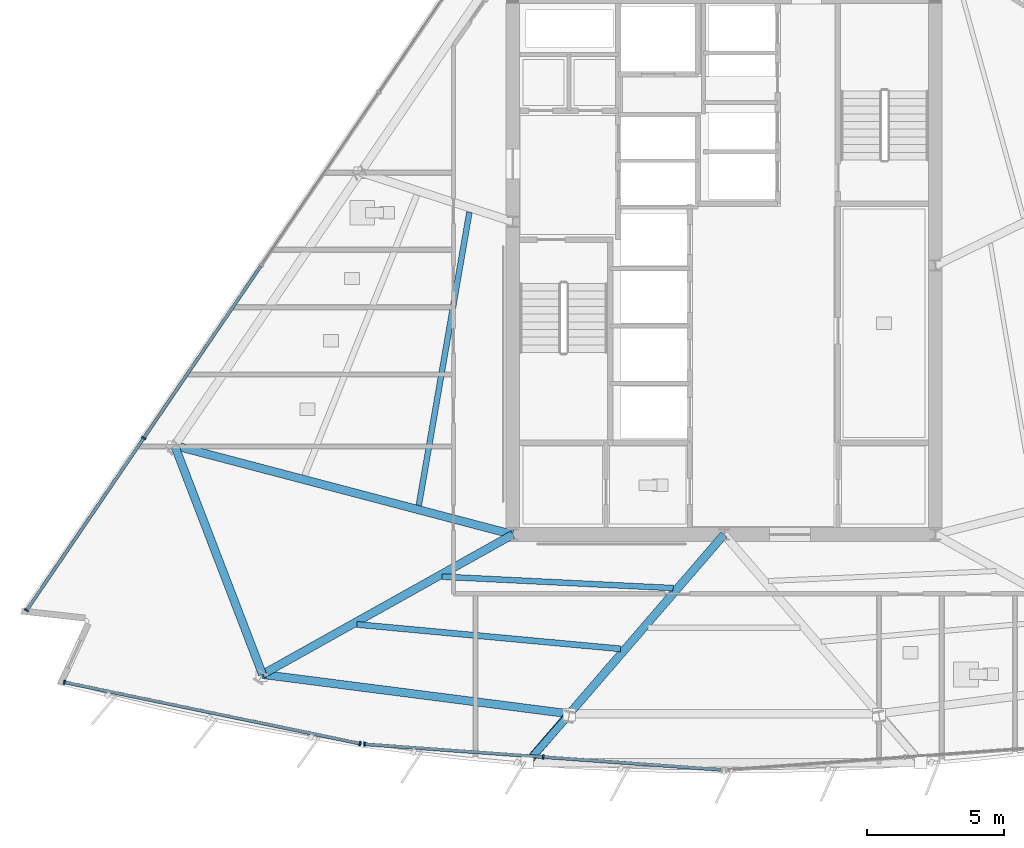
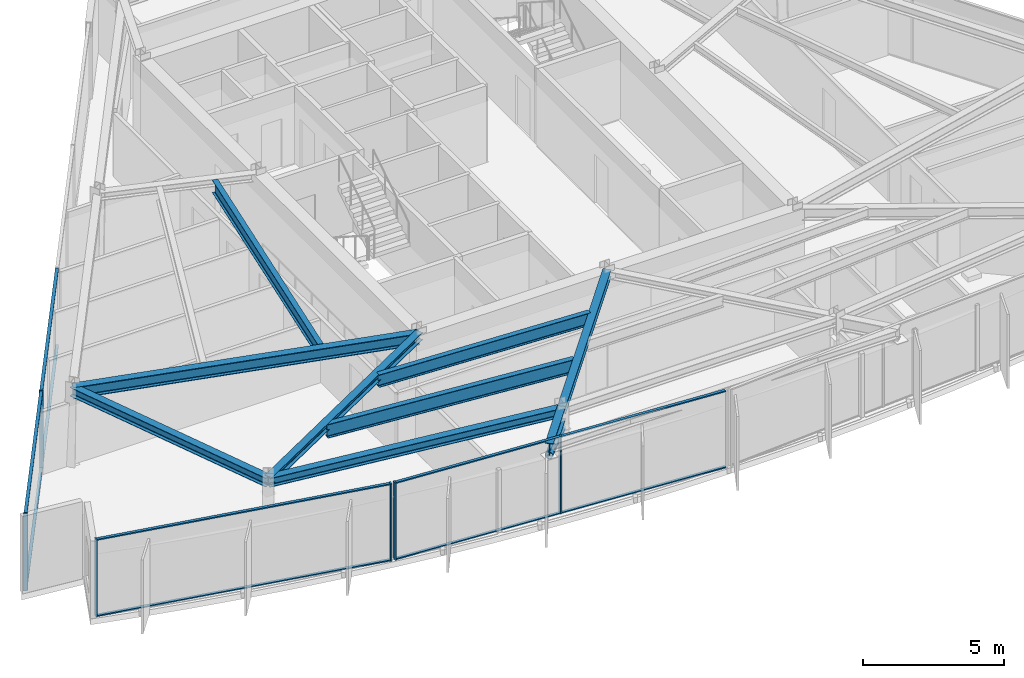
# One storey, part 2 of 15: 17 members, 9 beams, 3 elements without a shape of their own.
"""IFC4 building model written with IfcOpenShell, lengths in metres."""

from ifc_helpers import new_model, si_unit, direction, frame, origin, origin_2d, place, context, subcontext, project, spatial, rectangle, hollow_circle, i_section, extrude, material, material_profile, profile_set, type_object, element, aggregate, save


model = new_model("IFC4")

# Units and contexts
model_context = context("Model", 3, precision=1e-05, world=origin(), true_north=direction((0.0, 1.0)))
body_context = subcontext(model_context, "Body", "Model", "MODEL_VIEW")
ifc_project = project(units=[si_unit("LENGTHUNIT", "METRE"), si_unit("AREAUNIT", "SQUARE_METRE"), si_unit("VOLUMEUNIT", "CUBIC_METRE"), si_unit("PLANEANGLEUNIT", "RADIAN"), si_unit("MASSUNIT", "GRAM", prefix="KILO")], contexts=[model_context])

# Site, building, storey
site_placement = place(None, origin())
site = spatial("IfcSite", under=ifc_project, at=site_placement, CompositionType="ELEMENT")
building_placement = place(site_placement, origin())
building = spatial("IfcBuilding", under=site, at=building_placement, Name="Savorim Split Tower", CompositionType="ELEMENT")
storey_placement = place(building_placement, frame((0.0, 0.0, 201.89990234375)))
storey = spatial("IfcBuildingStorey", under=building, at=storey_placement, Name="L53", CompositionType="ELEMENT", Elevation=201.89990234375)

# Beams
ifc_material_1 = material(Name="Steel S355", Category="steel")
ifc_material_profile_1 = material_profile(ifc_material_1, i_section(OverallWidth=0.2099609375, OverallDepth=0.550048828125, WebThickness=0.010986328125, FlangeThickness=0.01708984375, FilletRadius=0.02392578125, at=origin_2d()), Name="IPE 550")
ifc_profile_set_1 = profile_set([ifc_material_profile_1], Name="Steel S355")
beam_type_1 = type_object("IfcBeamType", Name="BM-JST-IPE550", PredefinedType="JOIST", material=ifc_profile_set_1)
beam_1_placement = place(storey_placement, frame((-10.2763671875, -10.937744140625, 3.0751953125), z_axis=(0.998788876602, -0.049201422493, 0.0), x_axis=(0.049201422493, 0.998788876602, 0.0)))
element("IfcBeam", 1, at=beam_1_placement, inside=storey, type_object=beam_type_1, Name="L53 Secondary Floor Joist JS-02", PredefinedType="JOIST", context=body_context, shape_type="SweptSolid", body=[
    extrude(i_section(OverallWidth=0.2099609375, OverallDepth=0.550048828125, WebThickness=0.010986328125, FlangeThickness=0.01708984375, FilletRadius=0.02392578125, at=origin_2d()), origin(), (0.0, 0.0, 1.0), 8.435546875),
])
beam_2_placement = place(storey_placement, frame((-9.2802734375, 2.346923828125, 3.0751953125), z_axis=(-0.170010249727, -0.985442294093, 0.0), x_axis=(0.985442294093, -0.170010249727, 0.0)))
element("IfcBeam", 2, at=beam_2_placement, inside=storey, type_object=beam_type_1, Name="L53 Secondary Floor Joist JS-11", PredefinedType="JOIST", context=body_context, shape_type="SweptSolid", body=[
    extrude(i_section(OverallWidth=0.2099609375, OverallDepth=0.550048828125, WebThickness=0.010986328125, FlangeThickness=0.01708984375, FilletRadius=0.02392578125, at=origin_2d()), origin(), (0.0, 0.0, 1.0), 10.839111328125),
])
ifc_material_profile_2 = material_profile(ifc_material_1, i_section(OverallWidth=0.219970703125, OverallDepth=0.60009765625, WebThickness=0.011962890625, FlangeThickness=0.01904296875, FilletRadius=0.02392578125, at=origin_2d()), Name="IPE 600")
ifc_profile_set_2 = profile_set([ifc_material_profile_2], Name="Steel S355")
beam_type_2 = type_object("IfcBeamType", Name="BM-JST-IPE600", PredefinedType="JOIST", material=ifc_profile_set_2)
beam_3_placement = place(storey_placement, frame((-13.377685546875, -12.67822265625, 3.050048828125), z_axis=(0.995742781007, -0.092175452661, 0.0), x_axis=(0.092175452661, 0.995742781007, 0.0)))
element("IfcBeam", 3, at=beam_3_placement, inside=storey, type_object=beam_type_2, Name="L53 Secondary Floor Joist JS-01", PredefinedType="JOIST", context=body_context, shape_type="SweptSolid", body=[
    extrude(i_section(OverallWidth=0.219970703125, OverallDepth=0.60009765625, WebThickness=0.011962890625, FlangeThickness=0.01904296875, FilletRadius=0.02392578125, at=origin_2d()), origin(), (0.0, 0.0, 1.0), 9.651611328125),
])
ifc_material_profile_3 = material_profile(ifc_material_1, i_section(OverallWidth=0.300048828125, OverallDepth=0.320068359375, WebThickness=0.011474609375, FlangeThickness=0.0205078125, FilletRadius=0.027099609375, at=origin_2d()), Name="HEB 320")
ifc_profile_set_3 = profile_set([ifc_material_profile_3], Name="Steel S355")
beam_type_3 = type_object("IfcBeamType", Name="BM-PRI-HEB320", PredefinedType="BEAM", material=ifc_profile_set_3)
beam_4_placement = place(storey_placement, frame((-16.8203125, -14.49951171875, 3.190185546875), z_axis=(0.872823769161, 0.488035519186, 0.0), x_axis=(-0.488035519186, 0.872823769161, 0.0)))
element("IfcBeam", 4, at=beam_4_placement, inside=storey, type_object=beam_type_3, Name="L53 Primary Floor Girder RG-01", PredefinedType="BEAM", context=body_context, shape_type="SweptSolid", body=[
    extrude(i_section(OverallWidth=0.300048828125, OverallDepth=0.320068359375, WebThickness=0.011474609375, FlangeThickness=0.0205078125, FilletRadius=0.027099609375, at=origin_2d()), origin(), (0.0, 0.0, 1.0), 10.44921875),
])
beam_5_placement = place(storey_placement, frame((-5.63720703125, -15.935302734375, 3.190185546875), z_axis=(0.653155031073, 0.757224210775, 0.0), x_axis=(-0.757224210775, 0.653155031073, 0.0)))
element("IfcBeam", 5, at=beam_5_placement, inside=storey, type_object=beam_type_3, Name="L53 Primary Floor Girder RG-02", PredefinedType="BEAM", context=body_context, shape_type="SweptSolid", body=[
    extrude(i_section(OverallWidth=0.300048828125, OverallDepth=0.320068359375, WebThickness=0.011474609375, FlangeThickness=0.0205078125, FilletRadius=0.027099609375, at=origin_2d()), origin(), (0.0, 0.0, 1.0), 8.630615234375),
])
ifc_material_profile_4 = material_profile(ifc_material_1, i_section(OverallWidth=0.300048828125, OverallDepth=0.5, WebThickness=0.014404296875, FlangeThickness=0.028076171875, FilletRadius=0.027099609375, at=origin_2d()), Name="HEB 500")
ifc_profile_set_4 = profile_set([ifc_material_profile_4], Name="Steel S355")
beam_type_4 = type_object("IfcBeamType", Name="BM-PRI-HEB500", PredefinedType="BEAM", material=ifc_profile_set_4)
beam_6_placement = place(storey_placement, frame((-20.022705078125, -6.157958984375, 3.10009765625), z_axis=(0.967091660118, -0.254428223535, 0.0), x_axis=(0.254428223535, 0.967091660118, 0.0)))
element("IfcBeam", 6, at=beam_6_placement, inside=storey, type_object=beam_type_4, Name="L53 Primary Floor Girder RG-10", PredefinedType="BEAM", context=body_context, shape_type="SweptSolid", body=[
    extrude(i_section(OverallWidth=0.300048828125, OverallDepth=0.5, WebThickness=0.014404296875, FlangeThickness=0.028076171875, FilletRadius=0.027099609375, at=origin_2d()), origin(), (0.0, 0.0, 1.0), 12.7421875),
])
ifc_material_profile_5 = material_profile(ifc_material_1, i_section(OverallWidth=0.300048828125, OverallDepth=0.550048828125, WebThickness=0.014892578125, FlangeThickness=0.029052734375, FilletRadius=0.027099609375, at=origin_2d()), Name="HEB 550")
ifc_profile_set_5 = profile_set([ifc_material_profile_5], Name="Steel S355")
beam_type_5 = type_object("IfcBeamType", Name="BM-PRI-HEB550", PredefinedType="BEAM", material=ifc_profile_set_5)
beam_7_placement = place(storey_placement, frame((-5.63720703125, -15.935302734375, 3.0751953125), z_axis=(-0.653251941195, -0.757140608688, 0.0), x_axis=(0.757140608688, -0.653251941195, 0.0)))
element("IfcBeam", 7, at=beam_7_placement, inside=storey, type_object=beam_type_5, Name="L53 Cantilevered Lounge Rib 1", PredefinedType="BEAM", context=body_context, shape_type="SweptSolid", body=[
    extrude(i_section(OverallWidth=0.300048828125, OverallDepth=0.550048828125, WebThickness=0.014892578125, FlangeThickness=0.029052734375, FilletRadius=0.027099609375, at=origin_2d()), origin(), (0.0, 0.0, 1.0), 2.35009765625),
])
ifc_material_profile_6 = material_profile(ifc_material_1, i_section(OverallWidth=0.300048828125, OverallDepth=0.389892578125, WebThickness=0.010986328125, FlangeThickness=0.01904296875, FilletRadius=0.027099609375, at=origin_2d()), Name="HEA 400")
ifc_profile_set_6 = profile_set([ifc_material_profile_6], Name="Steel S355")
beam_type_6 = type_object("IfcBeamType", Name="BM-SPN-HEA400", PredefinedType="SPANDREL", material=ifc_profile_set_6)
beam_8_placement = place(storey_placement, frame((-16.8203125, -14.49951171875, 3.155029296875), z_axis=(0.991858608334, -0.127344026451, 0.0), x_axis=(0.127344026451, 0.991858608334, 0.0)))
element("IfcBeam", 8, at=beam_8_placement, inside=storey, type_object=beam_type_6, Name="L53 Perimeter Spandrel Beam 1", PredefinedType="SPANDREL", context=body_context, shape_type="SweptSolid", body=[
    extrude(i_section(OverallWidth=0.300048828125, OverallDepth=0.389892578125, WebThickness=0.010986328125, FlangeThickness=0.01904296875, FilletRadius=0.027099609375, at=origin_2d()), origin(), (0.0, 0.0, 1.0), 11.27490234375),
])
beam_9_placement = place(storey_placement, frame((-20.022705078125, -6.157958984375, 3.155029296875), z_axis=(0.358404088173, -0.933566553375, 0.0), x_axis=(0.933566553375, 0.358404088173, 0.0)))
element("IfcBeam", 9, at=beam_9_placement, inside=storey, type_object=beam_type_6, Name="L53 Perimeter Spandrel Beam 10", PredefinedType="SPANDREL", context=body_context, shape_type="SweptSolid", body=[
    extrude(i_section(OverallWidth=0.300048828125, OverallDepth=0.389892578125, WebThickness=0.010986328125, FlangeThickness=0.01904296875, FilletRadius=0.027099609375, at=origin_2d()), origin(), (0.0, 0.0, 1.0), 8.93505859375),
])

# Curtain wall, members
ifc_material_2 = material(Name="Dark Ceramic-Fritted Insulated Glass", Category="glass")
curtain_wall_type = type_object("IfcCurtainWallType", Name="CW-TWR-FRIT-B", PredefinedType="NOTDEFINED", material=ifc_material_2)
curtain_wall_1_placement = place(storey_placement, origin())
curtain_wall_1 = element("IfcCurtainWall", 10, at=curtain_wall_1_placement, inside=storey, type_object=curtain_wall_type, Name="L53 Curtain Wall CW-L53-SF1", PredefinedType="NOTDEFINED")
ifc_material_3 = material(Name="Charcoal Anodised Aluminium", Category="aluminium")
ifc_material_profile_7 = material_profile(ifc_material_3, rectangle(XDim=0.159912109375, YDim=0.06005859375, at=origin_2d()), Name="ALU-M 160x60")
ifc_profile_set_7 = profile_set([ifc_material_profile_7], Name="Charcoal Anodised Aluminium")
member_type_1 = type_object("IfcMemberType", Name="CWM-160x60", PredefinedType="MULLION", material=ifc_profile_set_7)
member_1_placement = place(storey_placement, frame((-24.041259765625, -14.782958984375, 0.0), z_axis=(0.0, 0.0, 1.0), x_axis=(0.203207957161, 0.979135601511, 0.0)))
member_1 = element("IfcMember", 11, at=member_1_placement, type_object=member_type_1, Name="CW-03 mullion 1", PredefinedType="MULLION", context=body_context, shape_type="SweptSolid", body=[
    extrude(rectangle(XDim=0.159912109375, YDim=0.06005859375, at=origin_2d()), origin(), (0.0, 0.0, 1.0), 3.35009765625),
])
member_2_placement = place(storey_placement, frame((-13.264404296875, -17.01953125, 0.0), z_axis=(0.0, 0.0, 1.0), x_axis=(0.203207957161, 0.979135601511, 0.0)))
member_2 = element("IfcMember", 12, at=member_2_placement, type_object=member_type_1, Name="CW-03 mullion 2", PredefinedType="MULLION", context=body_context, shape_type="SweptSolid", body=[
    extrude(rectangle(XDim=0.159912109375, YDim=0.06005859375, at=origin_2d()), origin(), (0.0, 0.0, 1.0), 3.35009765625),
])

curtain_wall_2_placement = place(storey_placement, origin())
curtain_wall_2 = element("IfcCurtainWall", 13, at=curtain_wall_2_placement, inside=storey, type_object=curtain_wall_type, Name="L53 Curtain Wall CW-L53-SF2", PredefinedType="NOTDEFINED")
member_3_placement = place(storey_placement, frame((-13.102294921875, -17.0419921875, 0.0), z_axis=(0.0, 0.0, 1.0), x_axis=(0.071561883187, 0.997436161804, 0.0)))
member_3 = element("IfcMember", 14, at=member_3_placement, type_object=member_type_1, Name="CW-03 mullion 1", PredefinedType="MULLION", context=body_context, shape_type="SweptSolid", body=[
    extrude(rectangle(XDim=0.159912109375, YDim=0.06005859375, at=origin_2d()), origin(), (0.0, 0.0, 1.0), 3.35009765625),
])
member_4_placement = place(storey_placement, frame((-6.591796875, -17.509033203125, 0.0), z_axis=(0.0, 0.0, 1.0), x_axis=(0.071561883187, 0.997436161804, 0.0)))
member_4 = element("IfcMember", 15, at=member_4_placement, type_object=member_type_1, Name="CW-03 mullion 2", PredefinedType="MULLION", context=body_context, shape_type="SweptSolid", body=[
    extrude(rectangle(XDim=0.159912109375, YDim=0.06005859375, at=origin_2d()), origin(), (0.0, 0.0, 1.0), 3.35009765625),
])

curtain_wall_3_placement = place(storey_placement, origin())
curtain_wall_3 = element("IfcCurtainWall", 16, at=curtain_wall_3_placement, inside=storey, type_object=curtain_wall_type, Name="L53 Curtain Wall CW-L53-WEST", PredefinedType="NOTDEFINED")
member_5_placement = place(storey_placement, frame((-21.147705078125, -5.884033203125, 0.0), z_axis=(0.0, 0.0, 1.0), x_axis=(0.826820907104, -0.562465276773, 0.0)))
member_5 = element("IfcMember", 17, at=member_5_placement, type_object=member_type_1, Name="CW-03 mullion 4", PredefinedType="MULLION", context=body_context, shape_type="SweptSolid", body=[
    extrude(rectangle(XDim=0.159912109375, YDim=0.06005859375, at=origin_2d()), origin(), (0.0, 0.0, 1.0), 3.35009765625),
])
member_6_placement = place(storey_placement, frame((-25.4189453125, -12.16259765625, 0.0), z_axis=(0.0, 0.0, 1.0), x_axis=(0.826820907104, -0.562465276773, 0.0)))
member_6 = element("IfcMember", 18, at=member_6_placement, type_object=member_type_1, Name="CW-03 mullion 5", PredefinedType="MULLION", context=body_context, shape_type="SweptSolid", body=[
    extrude(rectangle(XDim=0.159912109375, YDim=0.06005859375, at=origin_2d()), origin(), (0.0, 0.0, 1.0), 3.35009765625),
])

# Member
ifc_material_profile_8 = material_profile(ifc_material_3, rectangle(XDim=0.1201171875, YDim=0.050048828125, at=origin_2d()), Name="ALU-T 120x50")
ifc_profile_set_8 = profile_set([ifc_material_profile_8], Name="Charcoal Anodised Aluminium")
member_type_2 = type_object("IfcMemberType", Name="CWT-120x50", PredefinedType="USERDEFINED", material=ifc_profile_set_8)
member_7_placement = place(storey_placement, frame((-24.011962890625, -14.7890625, 0.025146484375), z_axis=(0.979137102834, -0.203200723063, 0.0), x_axis=(0.203200723063, 0.979137102834, 0.0)))
member_7 = element("IfcMember", 19, at=member_7_placement, type_object=member_type_2, Name="CW-03 transom 1.1", ObjectType="TRANSOM", PredefinedType="USERDEFINED", context=body_context, shape_type="SweptSolid", body=[
    extrude(rectangle(XDim=0.1201171875, YDim=0.050048828125, at=origin_2d()), origin(), (0.0, 0.0, 1.0), 10.946533203125),
])

member_8_placement = place(storey_placement, frame((-24.011962890625, -14.7890625, 3.3251953125), z_axis=(0.979137102834, -0.203200723063, 0.0), x_axis=(0.203200723063, 0.979137102834, 0.0)))
member_8 = element("IfcMember", 20, at=member_8_placement, type_object=member_type_2, Name="CW-03 transom 1.2", ObjectType="TRANSOM", PredefinedType="USERDEFINED", context=body_context, shape_type="SweptSolid", body=[
    extrude(rectangle(XDim=0.1201171875, YDim=0.050048828125, at=origin_2d()), origin(), (0.0, 0.0, 1.0), 10.946533203125),
])

aggregate(curtain_wall_1, [member_1, member_2, member_7, member_8])

member_9_placement = place(storey_placement, frame((-13.072265625, -17.044189453125, 0.025146484375), z_axis=(0.997435267849, -0.071574342133, 0.0), x_axis=(0.071574342133, 0.997435267849, 0.0)))
member_9 = element("IfcMember", 21, at=member_9_placement, type_object=member_type_2, Name="CW-03 transom 1.1", ObjectType="TRANSOM", PredefinedType="USERDEFINED", context=body_context, shape_type="SweptSolid", body=[
    extrude(rectangle(XDim=0.1201171875, YDim=0.050048828125, at=origin_2d()), origin(), (0.0, 0.0, 1.0), 6.46728515625),
])

member_10_placement = place(storey_placement, frame((-13.072265625, -17.044189453125, 3.3251953125), z_axis=(0.997435267849, -0.071574342133, 0.0), x_axis=(0.071574342133, 0.997435267849, 0.0)))
member_10 = element("IfcMember", 22, at=member_10_placement, type_object=member_type_2, Name="CW-03 transom 1.2", ObjectType="TRANSOM", PredefinedType="USERDEFINED", context=body_context, shape_type="SweptSolid", body=[
    extrude(rectangle(XDim=0.1201171875, YDim=0.050048828125, at=origin_2d()), origin(), (0.0, 0.0, 1.0), 6.46728515625),
])

member_11_placement = place(storey_placement, frame((-6.561767578125, -17.51123046875, 0.025146484375), z_axis=(0.997435267849, -0.071574342133, 0.0), x_axis=(0.071574342133, 0.997435267849, 0.0)))
member_11 = element("IfcMember", 23, at=member_11_placement, type_object=member_type_2, Name="CW-03 transom 2.1", ObjectType="TRANSOM", PredefinedType="USERDEFINED", context=body_context, shape_type="SweptSolid", body=[
    extrude(rectangle(XDim=0.1201171875, YDim=0.050048828125, at=origin_2d()), origin(), (0.0, 0.0, 1.0), 6.46728515625),
])

member_12_placement = place(storey_placement, frame((-6.561767578125, -17.51123046875, 3.3251953125), z_axis=(0.997435267849, -0.071574342133, 0.0), x_axis=(0.071574342133, 0.997435267849, 0.0)))
member_12 = element("IfcMember", 24, at=member_12_placement, type_object=member_type_2, Name="CW-03 transom 2.2", ObjectType="TRANSOM", PredefinedType="USERDEFINED", context=body_context, shape_type="SweptSolid", body=[
    extrude(rectangle(XDim=0.1201171875, YDim=0.050048828125, at=origin_2d()), origin(), (0.0, 0.0, 1.0), 6.46728515625),
])

aggregate(curtain_wall_2, [member_3, member_4, member_9, member_10, member_11, member_12])

member_13_placement = place(storey_placement, frame((-16.876708984375, 0.39453125, 0.025146484375), z_axis=(-0.562460105571, -0.826824424918, 0.0), x_axis=(0.826824424918, -0.562460105571, 0.0)))
member_13 = element("IfcMember", 25, at=member_13_placement, type_object=member_type_2, Name="CW-03 transom 3.1", ObjectType="TRANSOM", PredefinedType="USERDEFINED", context=body_context, shape_type="SweptSolid", body=[
    extrude(rectangle(XDim=0.1201171875, YDim=0.050048828125, at=origin_2d()), origin(), (0.0, 0.0, 1.0), 7.5634765625),
])

member_14_placement = place(storey_placement, frame((-16.876708984375, 0.39453125, 3.3251953125), z_axis=(-0.562460105571, -0.826824424918, 0.0), x_axis=(0.826824424918, -0.562460105571, 0.0)))
member_14 = element("IfcMember", 26, at=member_14_placement, type_object=member_type_2, Name="CW-03 transom 3.2", ObjectType="TRANSOM", PredefinedType="USERDEFINED", context=body_context, shape_type="SweptSolid", body=[
    extrude(rectangle(XDim=0.1201171875, YDim=0.050048828125, at=origin_2d()), origin(), (0.0, 0.0, 1.0), 7.5634765625),
])

member_15_placement = place(storey_placement, frame((-21.16455078125, -5.90869140625, 0.025146484375), z_axis=(-0.562453610104, -0.826828843523, 0.0), x_axis=(0.826828843523, -0.562453610104, 0.0)))
member_15 = element("IfcMember", 27, at=member_15_placement, type_object=member_type_2, Name="CW-03 transom 4.1", ObjectType="TRANSOM", PredefinedType="USERDEFINED", context=body_context, shape_type="SweptSolid", body=[
    extrude(rectangle(XDim=0.1201171875, YDim=0.050048828125, at=origin_2d()), origin(), (0.0, 0.0, 1.0), 7.53369140625),
])

member_16_placement = place(storey_placement, frame((-21.16455078125, -5.90869140625, 3.3251953125), z_axis=(-0.562453610104, -0.826828843523, 0.0), x_axis=(0.826828843523, -0.562453610104, 0.0)))
member_16 = element("IfcMember", 28, at=member_16_placement, type_object=member_type_2, Name="CW-03 transom 4.2", ObjectType="TRANSOM", PredefinedType="USERDEFINED", context=body_context, shape_type="SweptSolid", body=[
    extrude(rectangle(XDim=0.1201171875, YDim=0.050048828125, at=origin_2d()), origin(), (0.0, 0.0, 1.0), 7.53369140625),
])

aggregate(curtain_wall_3, [member_5, member_6, member_13, member_14, member_15, member_16])

ifc_material_profile_9 = material_profile(ifc_material_1, hollow_circle(Radius=0.136474609375, WallThickness=0.01611328125, at=origin_2d()), Name="CHS 273x16")
ifc_profile_set_9 = profile_set([ifc_material_profile_9], Name="Steel S355")
member_type_3 = type_object("IfcMemberType", Name="MBR-CRN-CHS273", PredefinedType="BRACE", material=ifc_profile_set_9)
member_17_placement = place(storey_placement, frame((-5.645263671875, -15.9755859375, 2.4501953125), z_axis=(-0.651571765309, -0.741989717713, 0.157814744116), x_axis=(0.751405781182, -0.65984039889, 0.0)))
element("IfcMember", 29, at=member_17_placement, inside=storey, type_object=member_type_3, Name="L53 Cantilevered Bay Support Strut 1", PredefinedType="BRACE", context=body_context, shape_type="SweptSolid", body=[
    extrude(hollow_circle(Radius=0.136474609375, WallThickness=0.01611328125, at=origin_2d()), origin(), (0.0, 0.0, 1.0), 2.34375),
])

save(model, "model.ifc")
